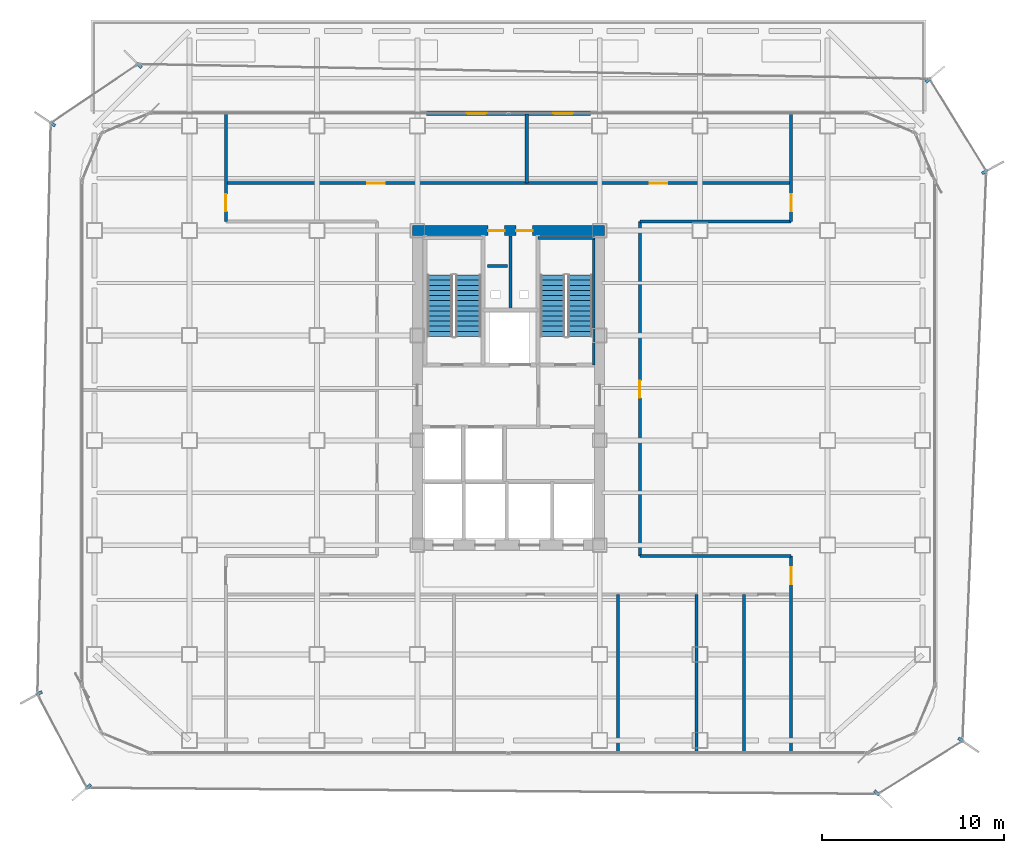
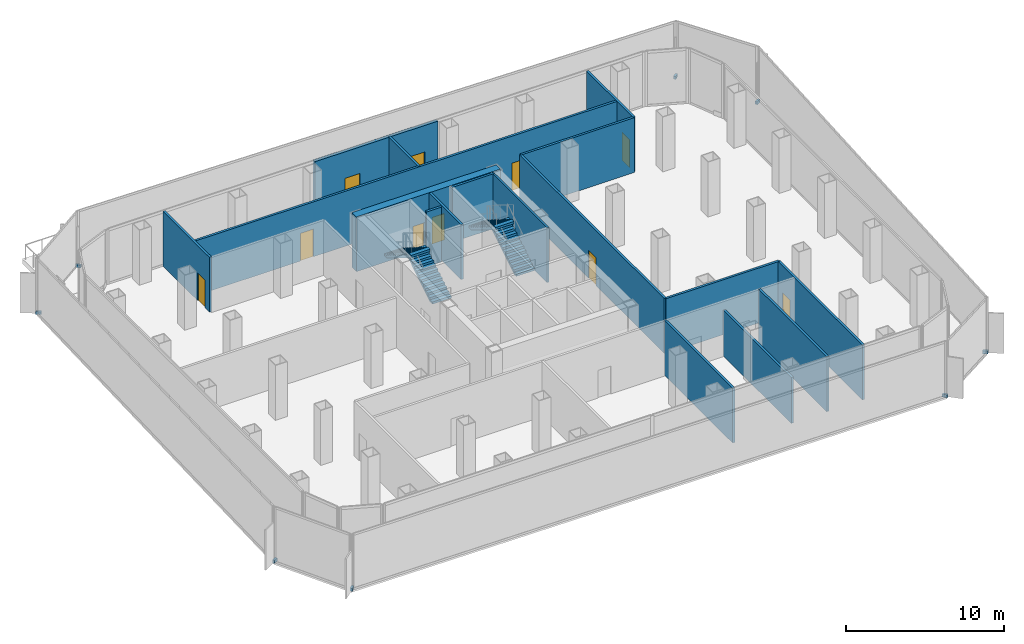
# One storey, part 18 of 21: 17 walls, 10 doors, 8 discrete accessories, 4 stair flights, 10 openings, 2 elements without a shape of their own.
"""IFC4 building model written with IfcOpenShell, lengths in metres."""

from ifc_helpers import new_model, si_unit, direction, frame, frame_2d, origin, origin_2d, place, context, subcontext, project, spatial, polyline, rectangle, outline, extrude, source, transform, mapped, material, layer, layer_set, type_object, element, fill, aggregate, save


model = new_model("IFC4")

# Units and contexts
model_context = context("Model", 3, precision=1e-05, world=origin(), true_north=direction((0.0, 1.0)))
body_context = subcontext(model_context, "Body", "Model", "MODEL_VIEW")
ifc_project = project(units=[si_unit("LENGTHUNIT", "METRE"), si_unit("AREAUNIT", "SQUARE_METRE"), si_unit("VOLUMEUNIT", "CUBIC_METRE"), si_unit("PLANEANGLEUNIT", "RADIAN"), si_unit("MASSUNIT", "GRAM", prefix="KILO")], contexts=[model_context])

# Site, building, storey
site_placement = place(None, origin())
site = spatial("IfcSite", under=ifc_project, at=site_placement, CompositionType="ELEMENT")
building_placement = place(site_placement, origin())
building = spatial("IfcBuilding", under=site, at=building_placement, Name="Kolveth Station Tower", CompositionType="ELEMENT")
storey_placement = place(building_placement, frame((0.0, 0.0, 88.199951171875)))
storey = spatial("IfcBuildingStorey", under=building, at=storey_placement, Name="L23", CompositionType="ELEMENT", Elevation=88.199951171875)

# Wall, openings, doors
ifc_material_1 = material(Name="Concrete C60/75", Category="concrete")
ifc_layer_1 = layer(ifc_material_1, 0.550048828125)
ifc_layer_set_1 = layer_set([ifc_layer_1], Name="Concrete C60/75")
wall_type_1 = type_object("IfcWallType", Name="Wall_CW-550", PredefinedType="SHEAR", material=ifc_layer_set_1)
wall_1_placement = place(storey_placement, frame((18.22509765625, 28.75, 0.0), z_axis=(0.0, 0.0, 1.0), x_axis=(1.0, 0.0, 0.0)))
wall_1 = element("IfcWall", 1, at=wall_1_placement, inside=storey, type_object=wall_type_1, Name="L23 Core RC Shear Wall N", PredefinedType="SHEAR", context=body_context, shape_type="SweptSolid", body=[
    extrude(rectangle(XDim=10.5498046875, YDim=0.550048828125, at=frame_2d((5.27490234375, 0.0))), origin(), (0.0, 0.0, 1.0), 4.25),
])
opening_1_placement = place(wall_1_placement, frame((4.155029296875, 0.0, 0.0)))
opening_1 = element("IfcOpeningElement", 2, at=opening_1_placement, cuts=wall_1, Name="Opening RD1", PredefinedType="OPENING", context=body_context, shape_type="SweptSolid", body=[
    extrude(rectangle(XDim=0.89990234375, YDim=2.050048828125, at=frame_2d((0.449951171875, 1.02490234375))), frame((0.0, 0.284912109375, 0.0), z_axis=(0.0, -1.0, 0.0), x_axis=(1.0, 0.0, 0.0)), (0.0, 0.0, 1.0), 0.570068359375),
])
opening_2_placement = place(wall_1_placement, frame((5.695068359375, 0.0, 0.0)))
opening_2 = element("IfcOpeningElement", 3, at=opening_2_placement, cuts=wall_1, Name="Opening RD1", PredefinedType="OPENING", context=body_context, shape_type="SweptSolid", body=[
    extrude(rectangle(XDim=0.89990234375, YDim=2.050048828125, at=frame_2d((0.449951171875, 1.02490234375))), frame((0.0, 0.284912109375, 0.0), z_axis=(0.0, -1.0, 0.0), x_axis=(1.0, 0.0, 0.0)), (0.0, 0.0, 1.0), 0.570068359375),
])
ifc_material_2 = material(Name="Fire-rated Steel S355 riser access leaf", Category="steel")
door_type_1 = type_object("IfcDoorType", Name="Door_RD1", OperationType="NOTDEFINED", PredefinedType="DOOR", material=ifc_material_2)
door_1_placement = place(opening_1_placement, origin())
door_1 = element("IfcDoor", 4, at=door_1_placement, inside=storey, type_object=door_type_1, Name="L23 Electrical Riser Access Door", OperationType="SINGLE_SWING_RIGHT", OverallHeight=2.050048828125, OverallWidth=0.89990234375, PredefinedType="DOOR", context=body_context, shape_type="SweptSolid", body=[
    extrude(rectangle(XDim=0.89990234375, YDim=2.050048828125, at=frame_2d((0.449951171875, 1.02490234375))), frame((0.0, 0.02490234375, 0.0), z_axis=(0.0, -1.0, 0.0), x_axis=(1.0, 0.0, 0.0)), (0.0, 0.0, 1.0), 0.050048828125),
])
fill(opening_1, door_1)
door_2_placement = place(opening_2_placement, origin())
door_2 = element("IfcDoor", 5, at=door_2_placement, inside=storey, type_object=door_type_1, Name="L23 Smoke Duct Access Door", OperationType="SINGLE_SWING_LEFT", OverallHeight=2.050048828125, OverallWidth=0.89990234375, PredefinedType="DOOR", context=body_context, shape_type="SweptSolid", body=[
    extrude(rectangle(XDim=0.89990234375, YDim=2.050048828125, at=frame_2d((0.449951171875, 1.02490234375))), frame((0.0, 0.02490234375, 0.0), z_axis=(0.0, -1.0, 0.0), x_axis=(1.0, 0.0, 0.0)), (0.0, 0.0, 1.0), 0.050048828125),
])
fill(opening_2, door_2)

ifc_material_3 = material(Name="Precast concrete C40/50", Category="concrete")
ifc_layer_2 = layer(ifc_material_3, 0.239990234375)
ifc_layer_set_2 = layer_set([ifc_layer_2], Name="Precast concrete C40/50")
wall_type_2 = type_object("IfcWallType", Name="Wall_EW-240", PredefinedType="SOLIDWALL", material=ifc_layer_set_2)
wall_2_placement = place(storey_placement, frame((19.0, 35.179931640625, 0.0), z_axis=(0.0, 0.0, 1.0), x_axis=(1.0, 0.0, 0.0)))
wall_2 = element("IfcWall", 6, at=wall_2_placement, inside=storey, type_object=wall_type_2, Name="L23 Sky Garden Terrace Vestibule Wall", PredefinedType="SOLIDWALL", context=body_context, shape_type="SweptSolid", body=[
    extrude(rectangle(XDim=9.0, YDim=0.239990234375, at=frame_2d((4.5, 0.0))), origin(), (0.0, 0.0, 1.0), 4.25),
])
opening_3_placement = place(wall_2_placement, frame((2.199951171875, 0.0, 0.0)))
opening_3 = element("IfcOpeningElement", 7, at=opening_3_placement, cuts=wall_2, Name="Opening TD1", PredefinedType="OPENING", context=body_context, shape_type="SweptSolid", body=[
    extrude(rectangle(XDim=1.10009765625, YDim=2.199951171875, at=frame_2d((0.550048828125, 1.10009765625))), frame((0.0, 0.1298828125, 0.0), z_axis=(0.0, -1.0, 0.0), x_axis=(1.0, 0.0, 0.0)), (0.0, 0.0, 1.0), 0.260009765625),
])
opening_4_placement = place(wall_2_placement, frame((6.949951171875, 0.0, 0.0)))
opening_4 = element("IfcOpeningElement", 8, at=opening_4_placement, cuts=wall_2, Name="Opening TD1", PredefinedType="OPENING", context=body_context, shape_type="SweptSolid", body=[
    extrude(rectangle(XDim=1.10009765625, YDim=2.199951171875, at=frame_2d((0.550048828125, 1.10009765625))), frame((0.0, 0.1298828125, 0.0), z_axis=(0.0, -1.0, 0.0), x_axis=(1.0, 0.0, 0.0)), (0.0, 0.0, 1.0), 0.260009765625),
])
ifc_material_4 = material(Name="Black anodized aluminium 6063-T6 and low-E dark glass", Category="aluminium")
door_type_2 = type_object("IfcDoorType", Name="Door_TD1", OperationType="NOTDEFINED", PredefinedType="DOOR", material=ifc_material_4)
door_3_placement = place(opening_3_placement, frame((1.10009765625, 0.0, 0.0), z_axis=(0.0, 0.0, 1.0), x_axis=(-1.0, 0.0, 0.0)))
door_3 = element("IfcDoor", 9, at=door_3_placement, inside=storey, type_object=door_type_2, Name="L23 North Sky Garden Terrace Door 1", OperationType="SINGLE_SWING_LEFT", OverallHeight=2.199951171875, OverallWidth=1.10009765625, PredefinedType="DOOR", context=body_context, shape_type="SweptSolid", body=[
    extrude(rectangle(XDim=1.10009765625, YDim=2.199951171875, at=frame_2d((0.550048828125, 1.10009765625))), frame((0.0, 0.02490234375, 0.0), z_axis=(0.0, -1.0, 0.0), x_axis=(1.0, 0.0, 0.0)), (0.0, 0.0, 1.0), 0.050048828125),
])
fill(opening_3, door_3)
door_4_placement = place(opening_4_placement, frame((1.10009765625, 0.0, 0.0), z_axis=(0.0, 0.0, 1.0), x_axis=(-1.0, 0.0, 0.0)))
door_4 = element("IfcDoor", 10, at=door_4_placement, inside=storey, type_object=door_type_2, Name="L23 North Sky Garden Terrace Door 2", OperationType="SINGLE_SWING_RIGHT", OverallHeight=2.199951171875, OverallWidth=1.10009765625, PredefinedType="DOOR", context=body_context, shape_type="SweptSolid", body=[
    extrude(rectangle(XDim=1.10009765625, YDim=2.199951171875, at=frame_2d((0.550048828125, 1.10009765625))), frame((0.0, 0.02490234375, 0.0), z_axis=(0.0, -1.0, 0.0), x_axis=(1.0, 0.0, 0.0)), (0.0, 0.0, 1.0), 0.050048828125),
])
fill(opening_4, door_4)

# Walls
ifc_material_5 = material(Name="Moisture-resistant gypsum partition")
ifc_layer_3 = layer(ifc_material_5, 0.135009765625)
ifc_layer_set_3 = layer_set([ifc_layer_3], Name="Moisture-resistant gypsum partition")
wall_type_3 = type_object("IfcWallType", Name="Wall_IW-135", PredefinedType="PARTITIONING", material=ifc_layer_set_3)
wall_3_placement = place(storey_placement, frame((28.16748046875, 21.389892578125, 0.0), z_axis=(0.0, 0.0, 1.0), x_axis=(0.0, 1.0, 0.0)))
element("IfcWall", 11, at=wall_3_placement, inside=storey, type_object=wall_type_3, Name="L23 Stair Shaft Wall WL-L23-ST2-E", PredefinedType="PARTITIONING", context=body_context, shape_type="SweptSolid", body=[
    extrude(rectangle(XDim=6.945068359375, YDim=0.135009765625, at=frame_2d((3.47265625, 0.0))), origin(), (0.0, 0.0, 1.0), 4.25),
])
ifc_material_6 = material(Name="Acoustic double-stud gypsum partition")
ifc_layer_4 = layer(ifc_material_6, 0.1650390625)
ifc_layer_set_4 = layer_set([ifc_layer_4], Name="Acoustic double-stud gypsum partition")
wall_type_4 = type_object("IfcWallType", Name="Wall_IW-165", PredefinedType="PARTITIONING", material=ifc_layer_set_4)
wall_4_placement = place(storey_placement, frame((25.1298828125, 28.3349609375, 0.0), z_axis=(0.0, 0.0, 1.0), x_axis=(1.0, 0.0, 0.0)))
element("IfcWall", 12, at=wall_4_placement, inside=storey, type_object=wall_type_4, Name="L23 Stair Shaft Wall WL-L23-ST2-N", PredefinedType="PARTITIONING", context=body_context, shape_type="SweptSolid", body=[
    extrude(rectangle(XDim=3.085205078125, YDim=0.1650390625, at=frame_2d((1.54248046875, 0.0))), origin(), (0.0, 0.0, 1.0), 4.25),
])
wall_5_placement = place(storey_placement, frame((23.6201171875, 24.39990234375, 0.0), z_axis=(0.0, 0.0, 1.0), x_axis=(0.0, 1.0, 0.0)))
element("IfcWall", 13, at=wall_5_placement, inside=storey, type_object=wall_type_4, Name="L23 Partition Wall WL-L23-RSR-M", PredefinedType="PARTITIONING", context=body_context, shape_type="SweptSolid", body=[
    extrude(rectangle(XDim=4.065185546875, YDim=0.1650390625, at=frame_2d((2.03271484375, 0.0))), origin(), (0.0, 0.0, 1.0), 4.25),
])

# Wall, openings, doors
wall_6_placement = place(storey_placement, frame((8.0, 31.35009765625, 0.0), z_axis=(0.0, 0.0, 1.0), x_axis=(1.0, 0.0, 0.0)))
wall_6 = element("IfcWall", 14, at=wall_6_placement, inside=storey, type_object=wall_type_4, Name="L23 Partition Wall WL-L23-SLN", PredefinedType="PARTITIONING", context=body_context, shape_type="SweptSolid", body=[
    extrude(rectangle(XDim=31.0, YDim=0.1650390625, at=frame_2d((15.5, 0.0))), origin(), (0.0, 0.0, 1.0), 4.25),
])
opening_5_placement = place(wall_6_placement, frame((7.75, 0.0, 0.0)))
opening_5 = element("IfcOpeningElement", 15, at=opening_5_placement, cuts=wall_6, Name="Opening ID1", PredefinedType="OPENING", context=body_context, shape_type="SweptSolid", body=[
    extrude(rectangle(XDim=0.949951171875, YDim=2.14990234375, at=frame_2d((0.47509765625, 1.074951171875))), frame((0.0, 0.092529296875, 0.0), z_axis=(0.0, -1.0, 0.0), x_axis=(1.0, 0.0, 0.0)), (0.0, 0.0, 1.0), 0.18505859375),
])
opening_6_placement = place(wall_6_placement, frame((23.25, 0.0, 0.0)))
opening_6 = element("IfcOpeningElement", 16, at=opening_6_placement, cuts=wall_6, Name="Opening ID1", PredefinedType="OPENING", context=body_context, shape_type="SweptSolid", body=[
    extrude(rectangle(XDim=0.949951171875, YDim=2.14990234375, at=frame_2d((0.47509765625, 1.074951171875))), frame((0.0, 0.092529296875, 0.0), z_axis=(0.0, -1.0, 0.0), x_axis=(1.0, 0.0, 0.0)), (0.0, 0.0, 1.0), 0.18505859375),
])
ifc_material_7 = material(Name="Acoustic hardwood leaf and aluminium frame", Category="wood")
door_type_3 = type_object("IfcDoorType", Name="Door_ID1", OperationType="NOTDEFINED", PredefinedType="DOOR", material=ifc_material_7)
door_5_placement = place(opening_5_placement, origin())
door_5 = element("IfcDoor", 17, at=door_5_placement, inside=storey, type_object=door_type_3, Name="L23 Sky Garden Lounge Door", OperationType="SINGLE_SWING_LEFT", OverallHeight=2.14990234375, OverallWidth=0.949951171875, PredefinedType="DOOR", context=body_context, shape_type="SweptSolid", body=[
    extrude(rectangle(XDim=0.949951171875, YDim=2.14990234375, at=frame_2d((0.47509765625, 1.074951171875))), frame((0.0, 0.02490234375, 0.0), z_axis=(0.0, -1.0, 0.0), x_axis=(1.0, 0.0, 0.0)), (0.0, 0.0, 1.0), 0.050048828125),
])
fill(opening_5, door_5)
door_6_placement = place(opening_6_placement, origin())
door_6 = element("IfcDoor", 18, at=door_6_placement, inside=storey, type_object=door_type_3, Name="L23 Sky Conference Room Door", OperationType="SINGLE_SWING_RIGHT", OverallHeight=2.14990234375, OverallWidth=0.949951171875, PredefinedType="DOOR", context=body_context, shape_type="SweptSolid", body=[
    extrude(rectangle(XDim=0.949951171875, YDim=2.14990234375, at=frame_2d((0.47509765625, 1.074951171875))), frame((0.0, 0.02490234375, 0.0), z_axis=(0.0, -1.0, 0.0), x_axis=(1.0, 0.0, 0.0)), (0.0, 0.0, 1.0), 0.050048828125),
])
fill(opening_6, door_6)

# Walls
for number, where, z_axis, x_axis, name in (
    (19, (30.699951171875, 10.89990234375, 0.0), (0.0, 0.0, 1.0), (1.0, 0.0, 0.0), "L23 Partition Wall WL-L23-SLSET"),
    (20, (30.699951171875, 29.25, 0.0), (0.0, 0.0, 1.0), (1.0, 0.0, 0.0), "L23 Partition Wall WL-L23-SLNEB"),
):
    element("IfcWall", number, at=place(storey_placement, frame(where, z_axis=z_axis, x_axis=x_axis)), inside=storey, type_object=wall_type_4, Name=name, PredefinedType="PARTITIONING", context=body_context, shape_type="SweptSolid", body=[
        extrude(rectangle(XDim=8.300048828125, YDim=0.1650390625, at=frame_2d((4.14990234375, 0.0))), origin(), (0.0, 0.0, 1.0), 4.25),
    ])

# Wall, opening, door
wall_7_placement = place(storey_placement, frame((30.699951171875, 10.89990234375, 0.0), z_axis=(0.0, 0.0, 1.0), x_axis=(0.0, 1.0, 0.0)))
wall_7 = element("IfcWall", 21, at=wall_7_placement, inside=storey, type_object=wall_type_4, Name="L23 Partition Wall WL-L23-SLE", PredefinedType="PARTITIONING", context=body_context, shape_type="SweptSolid", body=[
    extrude(rectangle(XDim=18.35009765625, YDim=0.1650390625, at=frame_2d((9.175048828125, 0.0))), origin(), (0.0, 0.0, 1.0), 4.25),
])
opening_7_placement = place(wall_7_placement, frame((8.675048828125, 0.0, 0.0)))
opening_7 = element("IfcOpeningElement", 22, at=opening_7_placement, cuts=wall_7, Name="Opening ID1", PredefinedType="OPENING", context=body_context, shape_type="SweptSolid", body=[
    extrude(rectangle(XDim=0.949951171875, YDim=2.14990234375, at=frame_2d((0.47509765625, 1.074951171875))), frame((0.0, 0.092529296875, 0.0), z_axis=(0.0, -1.0, 0.0), x_axis=(1.0, 0.0, 0.0)), (0.0, 0.0, 1.0), 0.18505859375),
])
door_7_placement = place(opening_7_placement, origin())
door_7 = element("IfcDoor", 23, at=door_7_placement, inside=storey, type_object=door_type_3, Name="L23 Sky Garden Pavilion Lounge Door", OperationType="SINGLE_SWING_LEFT", OverallHeight=2.14990234375, OverallWidth=0.949951171875, PredefinedType="DOOR", context=body_context, shape_type="SweptSolid", body=[
    extrude(rectangle(XDim=0.949951171875, YDim=2.14990234375, at=frame_2d((0.47509765625, 1.074951171875))), frame((0.0, 0.02490234375, 0.0), z_axis=(0.0, -1.0, 0.0), x_axis=(1.0, 0.0, 0.0)), (0.0, 0.0, 1.0), 0.050048828125),
])
fill(opening_7, door_7)

wall_8_placement = place(storey_placement, frame((8.0, 29.25, 0.0), z_axis=(0.0, 0.0, 1.0), x_axis=(0.0, 1.0, 0.0)))
wall_8 = element("IfcWall", 24, at=wall_8_placement, inside=storey, type_object=wall_type_4, Name="L23 Partition Wall WL-L23-SLWN", PredefinedType="PARTITIONING", context=body_context, shape_type="SweptSolid", body=[
    extrude(rectangle(XDim=5.889892578125, YDim=0.1650390625, at=frame_2d((2.94482421875, 0.0))), origin(), (0.0, 0.0, 1.0), 4.25),
])
opening_8_placement = place(wall_8_placement, frame((0.550048828125, 0.0, 0.0)))
opening_8 = element("IfcOpeningElement", 25, at=opening_8_placement, cuts=wall_8, Name="Opening ID1", PredefinedType="OPENING", context=body_context, shape_type="SweptSolid", body=[
    extrude(rectangle(XDim=0.949951171875, YDim=2.14990234375, at=frame_2d((0.47509765625, 1.074951171875))), frame((0.0, 0.092529296875, 0.0), z_axis=(0.0, -1.0, 0.0), x_axis=(1.0, 0.0, 0.0)), (0.0, 0.0, 1.0), 0.18505859375),
])
door_8_placement = place(opening_8_placement, frame((0.949951171875, 0.0, 0.0), z_axis=(0.0, 0.0, 1.0), x_axis=(-1.0, 0.0, 0.0)))
door_8 = element("IfcDoor", 26, at=door_8_placement, inside=storey, type_object=door_type_3, Name="L23 Sky Study NW Door", OperationType="SINGLE_SWING_RIGHT", OverallHeight=2.14990234375, OverallWidth=0.949951171875, PredefinedType="DOOR", context=body_context, shape_type="SweptSolid", body=[
    extrude(rectangle(XDim=0.949951171875, YDim=2.14990234375, at=frame_2d((0.47509765625, 1.074951171875))), frame((0.0, 0.02490234375, 0.0), z_axis=(0.0, -1.0, 0.0), x_axis=(1.0, 0.0, 0.0)), (0.0, 0.0, 1.0), 0.050048828125),
])
fill(opening_8, door_8)

wall_9_placement = place(storey_placement, frame((39.0, 0.159912109375, 0.0), z_axis=(0.0, 0.0, 1.0), x_axis=(0.0, 1.0, 0.0)))
wall_9 = element("IfcWall", 27, at=wall_9_placement, inside=storey, type_object=wall_type_4, Name="L23 Partition Wall WL-L23-SLEE", PredefinedType="PARTITIONING", context=body_context, shape_type="SweptSolid", body=[
    extrude(rectangle(XDim=10.739990234375, YDim=0.1650390625, at=frame_2d((5.3701171875, 0.0))), origin(), (0.0, 0.0, 1.0), 4.25),
])
opening_9_placement = place(wall_9_placement, frame((9.18994140625, 0.0, 0.0)))
opening_9 = element("IfcOpeningElement", 28, at=opening_9_placement, cuts=wall_9, Name="Opening ID1", PredefinedType="OPENING", context=body_context, shape_type="SweptSolid", body=[
    extrude(rectangle(XDim=0.949951171875, YDim=2.14990234375, at=frame_2d((0.47509765625, 1.074951171875))), frame((0.0, 0.092529296875, 0.0), z_axis=(0.0, -1.0, 0.0), x_axis=(1.0, 0.0, 0.0)), (0.0, 0.0, 1.0), 0.18505859375),
])
door_9_placement = place(opening_9_placement, origin())
door_9 = element("IfcDoor", 29, at=door_9_placement, inside=storey, type_object=door_type_3, Name="L23 Sky Corner Office SE Door", OperationType="SINGLE_SWING_LEFT", OverallHeight=2.14990234375, OverallWidth=0.949951171875, PredefinedType="DOOR", context=body_context, shape_type="SweptSolid", body=[
    extrude(rectangle(XDim=0.949951171875, YDim=2.14990234375, at=frame_2d((0.47509765625, 1.074951171875))), frame((0.0, 0.02490234375, 0.0), z_axis=(0.0, -1.0, 0.0), x_axis=(1.0, 0.0, 0.0)), (0.0, 0.0, 1.0), 0.050048828125),
])
fill(opening_9, door_9)

wall_10_placement = place(storey_placement, frame((39.0, 29.25, 0.0), z_axis=(0.0, 0.0, 1.0), x_axis=(0.0, 1.0, 0.0)))
wall_10 = element("IfcWall", 30, at=wall_10_placement, inside=storey, type_object=wall_type_4, Name="L23 Partition Wall WL-L23-SLEN", PredefinedType="PARTITIONING", context=body_context, shape_type="SweptSolid", body=[
    extrude(rectangle(XDim=5.889892578125, YDim=0.1650390625, at=frame_2d((2.94482421875, 0.0))), origin(), (0.0, 0.0, 1.0), 4.25),
])
opening_10_placement = place(wall_10_placement, frame((0.550048828125, 0.0, 0.0)))
opening_10 = element("IfcOpeningElement", 31, at=opening_10_placement, cuts=wall_10, Name="Opening ID1", PredefinedType="OPENING", context=body_context, shape_type="SweptSolid", body=[
    extrude(rectangle(XDim=0.949951171875, YDim=2.14990234375, at=frame_2d((0.47509765625, 1.074951171875))), frame((0.0, 0.092529296875, 0.0), z_axis=(0.0, -1.0, 0.0), x_axis=(1.0, 0.0, 0.0)), (0.0, 0.0, 1.0), 0.18505859375),
])
door_10_placement = place(opening_10_placement, origin())
door_10 = element("IfcDoor", 32, at=door_10_placement, inside=storey, type_object=door_type_3, Name="L23 Sky Boardroom NE Door", OperationType="SINGLE_SWING_RIGHT", OverallHeight=2.14990234375, OverallWidth=0.949951171875, PredefinedType="DOOR", context=body_context, shape_type="SweptSolid", body=[
    extrude(rectangle(XDim=0.949951171875, YDim=2.14990234375, at=frame_2d((0.47509765625, 1.074951171875))), frame((0.0, 0.02490234375, 0.0), z_axis=(0.0, -1.0, 0.0), x_axis=(1.0, 0.0, 0.0)), (0.0, 0.0, 1.0), 0.050048828125),
])
fill(opening_10, door_10)

# Walls
wall_11_placement = place(storey_placement, frame((29.5, 0.159912109375, 0.0), z_axis=(0.0, 0.0, 1.0), x_axis=(0.0, 1.0, 0.0)))
element("IfcWall", 33, at=wall_11_placement, inside=storey, type_object=wall_type_4, Name="L23 Partition Wall WL-L23-SS-P2", PredefinedType="PARTITIONING", context=body_context, shape_type="SweptSolid", body=[
    extrude(rectangle(XDim=8.64013671875, YDim=0.1650390625, at=frame_2d((4.320068359375, 0.0))), origin(), (0.0, 0.0, 1.0), 4.25),
])
wall_12_placement = place(storey_placement, frame((33.800048828125, 0.159912109375, 0.0), z_axis=(0.0, 0.0, 1.0), x_axis=(0.0, 1.0, 0.0)))
element("IfcWall", 34, at=wall_12_placement, inside=storey, type_object=wall_type_4, Name="L23 Partition Wall WL-L23-SS-P3", PredefinedType="PARTITIONING", context=body_context, shape_type="SweptSolid", body=[
    extrude(rectangle(XDim=8.64013671875, YDim=0.1650390625, at=frame_2d((4.320068359375, 0.0))), origin(), (0.0, 0.0, 1.0), 3.547119140625),
])
wall_13_placement = place(storey_placement, frame((36.39990234375, 0.159912109375, 0.0), z_axis=(0.0, 0.0, 1.0), x_axis=(0.0, 1.0, 0.0)))
element("IfcWall", 35, at=wall_13_placement, inside=storey, type_object=wall_type_4, Name="L23 Partition Wall WL-L23-SS-P4", PredefinedType="PARTITIONING", context=body_context, shape_type="SweptSolid", body=[
    extrude(rectangle(XDim=8.64013671875, YDim=0.1650390625, at=frame_2d((4.320068359375, 0.0))), origin(), (0.0, 0.0, 1.0), 4.25),
])
wall_14_placement = place(storey_placement, frame((24.5, 31.35009765625, 0.0), z_axis=(0.0, 0.0, 1.0), x_axis=(0.0, 1.0, 0.0)))
element("IfcWall", 36, at=wall_14_placement, inside=storey, type_object=wall_type_4, Name="L23 Partition Wall WL-L23-SN-P1", PredefinedType="PARTITIONING", context=body_context, shape_type="SweptSolid", body=[
    extrude(rectangle(XDim=3.789794921875, YDim=0.1650390625, at=frame_2d((1.89501953125, 0.0))), origin(), (0.0, 0.0, 1.0), 4.25),
])
wall_15_placement = place(storey_placement, frame((22.35009765625, 26.800048828125, 0.0), z_axis=(0.0, 0.0, 1.0), x_axis=(1.0, 0.0, 0.0)))
element("IfcWall", 37, at=wall_15_placement, inside=storey, type_object=wall_type_4, Name="L23 Acoustic Riser Dry-Lining Wall", PredefinedType="PARTITIONING", context=body_context, shape_type="SweptSolid", body=[
    extrude(rectangle(XDim=1.099853515625, YDim=0.1650390625, at=frame_2d((0.5498046875, 0.0))), origin(), (0.0, 0.0, 1.0), 4.25),
])

# Stair, stair flights
ifc_material_8 = material(Name="Concrete C40/50", Category="concrete")
stair_type_1 = type_object("IfcStairType", Name="Stair_ST1", PredefinedType="HALF_TURN_STAIR", material=ifc_material_8)
stair_1_placement = place(storey_placement, origin())
stair_1 = element("IfcStair", 38, at=stair_1_placement, inside=storey, type_object=stair_type_1, Name="L23 Tower Exit Stair ST1", PredefinedType="HALF_TURN_STAIR")
ifc_layer_5 = layer(ifc_material_8, 0.179931640625)
ifc_layer_set_5 = layer_set([ifc_layer_5], Name="Concrete C40/50")
stair_flight_type_1 = type_object("IfcStairFlightType", Name="Flight_ST1", PredefinedType="STRAIGHT", material=ifc_layer_set_5)
stair_flight_1_placement = place(storey_placement, frame((21.300048828125, 22.949951171875, 0.0), z_axis=(0.0, 0.0, 1.0), x_axis=(0.0, 1.0, 0.0)))
stair_flight_1 = element("IfcStairFlight", 39, at=stair_flight_1_placement, type_object=stair_flight_type_1, Name="ST1 flight 1", NumberOfRisers=13, NumberOfTreads=12, PredefinedType="STRAIGHT", RiserHeight=0.173076923, TreadLength=0.28, context=body_context, shape_type="SweptSolid", body=[
    extrude(outline(polyline([(0.0, 0.0), (0.0, 0.173095703125), (0.280029296875, 0.173095703125), (0.280029296875, 0.34619140625), (0.56005859375, 0.34619140625), (0.56005859375, 0.519287109375), (0.840087890625, 0.519287109375), (0.840087890625, 0.6923828125), (1.1201171875, 0.6923828125), (1.1201171875, 0.865478515625), (1.39990234375, 0.865478515625), (1.39990234375, 1.03857421875), (1.679931640625, 1.03857421875), (1.679931640625, 1.21142578125), (1.9599609375, 1.21142578125), (1.9599609375, 1.384521484375), (2.239990234375, 1.384521484375), (2.239990234375, 1.5576171875), (2.52001953125, 1.5576171875), (2.52001953125, 1.730712890625), (2.800048828125, 1.730712890625), (2.800048828125, 1.90380859375), (3.080078125, 1.90380859375), (3.080078125, 2.076904296875), (3.360107421875, 2.076904296875), (3.360107421875, 2.25), (3.360107421875, 1.900634765625), (0.28515625, 0.0), (0.0, 0.0)])), frame((0.0, 0.699951171875, 0.0), z_axis=(0.0, -1.0, 0.0), x_axis=(1.0, 0.0, 0.0)), (0.0, 0.0, 1.0), 1.39990234375),
])
stair_flight_2_placement = place(storey_placement, frame((19.739990234375, 26.31005859375, 2.25), z_axis=(0.0, 0.0, 1.0), x_axis=(0.0, -1.0, 0.0)))
stair_flight_2 = element("IfcStairFlight", 40, at=stair_flight_2_placement, type_object=stair_flight_type_1, Name="ST1 flight 2", NumberOfRisers=13, NumberOfTreads=12, PredefinedType="STRAIGHT", RiserHeight=0.173076923, TreadLength=0.28, context=body_context, shape_type="SweptSolid", body=[
    extrude(outline(polyline([(0.0, 0.0), (0.0, 0.173095703125), (0.280029296875, 0.173095703125), (0.280029296875, 0.34619140625), (0.56005859375, 0.34619140625), (0.56005859375, 0.519287109375), (0.840087890625, 0.519287109375), (0.840087890625, 0.6923828125), (1.1201171875, 0.6923828125), (1.1201171875, 0.865478515625), (1.39990234375, 0.865478515625), (1.39990234375, 1.03857421875), (1.679931640625, 1.03857421875), (1.679931640625, 1.21142578125), (1.9599609375, 1.21142578125), (1.9599609375, 1.384521484375), (2.239990234375, 1.384521484375), (2.239990234375, 1.5576171875), (2.52001953125, 1.5576171875), (2.52001953125, 1.730712890625), (2.800048828125, 1.730712890625), (2.800048828125, 1.90380859375), (3.080078125, 1.90380859375), (3.080078125, 2.076904296875), (3.360107421875, 2.076904296875), (3.360107421875, 2.25), (3.360107421875, 1.900634765625), (0.28515625, 0.0), (0.0, 0.0)])), frame((0.0, 0.699951171875, 0.0), z_axis=(0.0, -1.0, 0.0), x_axis=(1.0, 0.0, 0.0)), (0.0, 0.0, 1.0), 1.39990234375),
])
aggregate(stair_1, [stair_flight_1, stair_flight_2])

stair_type_2 = type_object("IfcStairType", Name="Stair_ST2", PredefinedType="HALF_TURN_STAIR", material=ifc_material_8)
stair_2_placement = place(storey_placement, origin())
stair_2 = element("IfcStair", 41, at=stair_2_placement, inside=storey, type_object=stair_type_2, Name="L23 Tower Exit Stair ST2", PredefinedType="HALF_TURN_STAIR")
ifc_layer_6 = layer(ifc_material_8, 0.179931640625)
ifc_layer_set_6 = layer_set([ifc_layer_6], Name="Concrete C40/50")
stair_flight_type_2 = type_object("IfcStairFlightType", Name="Flight_ST2", PredefinedType="STRAIGHT", material=ifc_layer_set_6)
stair_flight_3_placement = place(storey_placement, frame((27.425048828125, 22.949951171875, 0.0), z_axis=(0.0, 0.0, 1.0), x_axis=(0.0, 1.0, 0.0)))
stair_flight_3 = element("IfcStairFlight", 42, at=stair_flight_3_placement, type_object=stair_flight_type_2, Name="ST2 flight 1", NumberOfRisers=13, NumberOfTreads=12, PredefinedType="STRAIGHT", RiserHeight=0.173076923, TreadLength=0.28, context=body_context, shape_type="SweptSolid", body=[
    extrude(outline(polyline([(0.0, 0.0), (0.0, 0.173095703125), (0.280029296875, 0.173095703125), (0.280029296875, 0.34619140625), (0.56005859375, 0.34619140625), (0.56005859375, 0.519287109375), (0.840087890625, 0.519287109375), (0.840087890625, 0.6923828125), (1.1201171875, 0.6923828125), (1.1201171875, 0.865478515625), (1.39990234375, 0.865478515625), (1.39990234375, 1.03857421875), (1.679931640625, 1.03857421875), (1.679931640625, 1.21142578125), (1.9599609375, 1.21142578125), (1.9599609375, 1.384521484375), (2.239990234375, 1.384521484375), (2.239990234375, 1.5576171875), (2.52001953125, 1.5576171875), (2.52001953125, 1.730712890625), (2.800048828125, 1.730712890625), (2.800048828125, 1.90380859375), (3.080078125, 1.90380859375), (3.080078125, 2.076904296875), (3.360107421875, 2.076904296875), (3.360107421875, 2.25), (3.360107421875, 1.900634765625), (0.28515625, 0.0), (0.0, 0.0)])), frame((0.0, 0.675048828125, 0.0), z_axis=(0.0, -1.0, 0.0), x_axis=(1.0, 0.0, 0.0)), (0.0, 0.0, 1.0), 1.35009765625),
])
stair_flight_4_placement = place(storey_placement, frame((25.9150390625, 26.31005859375, 2.25), z_axis=(0.0, 0.0, 1.0), x_axis=(0.0, -1.0, 0.0)))
stair_flight_4 = element("IfcStairFlight", 43, at=stair_flight_4_placement, type_object=stair_flight_type_2, Name="ST2 flight 2", NumberOfRisers=13, NumberOfTreads=12, PredefinedType="STRAIGHT", RiserHeight=0.173076923, TreadLength=0.28, context=body_context, shape_type="SweptSolid", body=[
    extrude(outline(polyline([(0.0, 0.0), (0.0, 0.173095703125), (0.280029296875, 0.173095703125), (0.280029296875, 0.34619140625), (0.56005859375, 0.34619140625), (0.56005859375, 0.519287109375), (0.840087890625, 0.519287109375), (0.840087890625, 0.6923828125), (1.1201171875, 0.6923828125), (1.1201171875, 0.865478515625), (1.39990234375, 0.865478515625), (1.39990234375, 1.03857421875), (1.679931640625, 1.03857421875), (1.679931640625, 1.21142578125), (1.9599609375, 1.21142578125), (1.9599609375, 1.384521484375), (2.239990234375, 1.384521484375), (2.239990234375, 1.5576171875), (2.52001953125, 1.5576171875), (2.52001953125, 1.730712890625), (2.800048828125, 1.730712890625), (2.800048828125, 1.90380859375), (3.080078125, 1.90380859375), (3.080078125, 2.076904296875), (3.360107421875, 2.076904296875), (3.360107421875, 2.25), (3.360107421875, 1.900634765625), (0.28515625, 0.0), (0.0, 0.0)])), frame((0.0, 0.675048828125, 0.0), z_axis=(0.0, -1.0, 0.0), x_axis=(1.0, 0.0, 0.0)), (0.0, 0.0, 1.0), 1.35009765625),
])
aggregate(stair_2, [stair_flight_3, stair_flight_4])

# Discrete accessories
ifc_material_9 = material(Name="Steel S355", Category="steel")
discrete_accessory_type = type_object("IfcDiscreteAccessoryType", Name="Bracket_BK1", PredefinedType="BRACKET", material=ifc_material_9)
shared_shape = source(origin(), body_context, "Body", "SweptSolid", [
    extrude(rectangle(XDim=0.35009765625, YDim=0.159912109375, at=origin_2d()), origin(), (0.0, 0.0, 1.0), 0.219970703125),
])
for number, where, z_axis, x_axis, name in (
    (44, (43.69091796875, -2.075927734375, -0.06005859375), (0.0, 0.0, 1.0), (0.715326946227, -0.698789925516, 0.0), "L23 Double-Skin Radial Tie Bracket 1"),
    (45, (48.31494140625, 0.818115234375, -0.06005859375), (0.0, 0.0, 1.0), (0.827570769564, -0.561361399958, 0.0), "L23 Double-Skin Radial Tie Bracket 2"),
    (46, (49.617919921875, 31.972900390625, -0.06005859375), (0.0, 0.0, 1.0), (0.876810690731, 0.480835743909, 0.0), "L23 Double-Skin Radial Tie Bracket 3"),
    (47, (46.51611328125, 37.00390625, -0.06005859375), (0.0, 0.0, 1.0), (0.7653708976, 0.643589456957, 0.0), "L23 Double-Skin Radial Tie Bracket 4"),
    (48, (3.2548828125, 37.804931640625, -0.06005859375), (0.0, 0.0, 1.0), (-0.7087093341, 0.705500588065, 0.0), "L23 Double-Skin Radial Tie Bracket 5"),
    (49, (-1.509033203125, 34.593994140625, -0.06005859375), (0.0, 0.0, 1.0), (-0.827864584251, 0.560928007986, 0.0), "L23 Double-Skin Radial Tie Bracket 6"),
    (50, (-2.238037109375, 3.3759765625, -0.06005859375), (0.0, 0.0, 1.0), (-0.874535078577, -0.484962262797, 0.0), "L23 Double-Skin Radial Tie Bracket 7"),
    (51, (0.4619140625, -1.742919921875, -0.06005859375), (0.0, 0.0, 1.0), (-0.765033810049, -0.643990115982, 0.0), "L23 Double-Skin Radial Tie Bracket 8"),
):
    element("IfcDiscreteAccessory", number, at=place(storey_placement, frame(where, z_axis=z_axis, x_axis=x_axis)), inside=storey, type_object=discrete_accessory_type, Name=name, PredefinedType="BRACKET", context=body_context, shape_type="MappedRepresentation", body=[
        mapped(shared_shape, transform((0.0, 0.0, 0.0), x_axis=(1.0, 0.0, 0.0), y_axis=(0.0, 1.0, 0.0), z_axis=(0.0, 0.0, 1.0), scale=1.0)),
    ])

save(model, "model.ifc")
